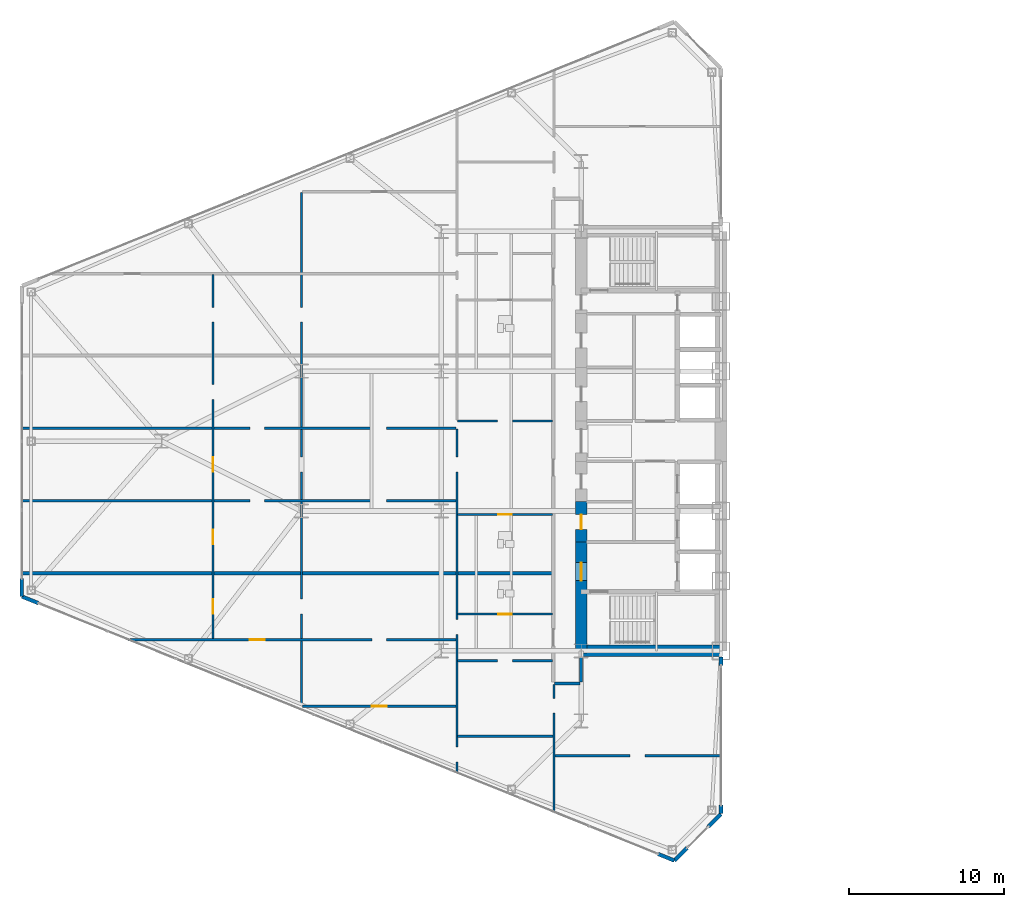
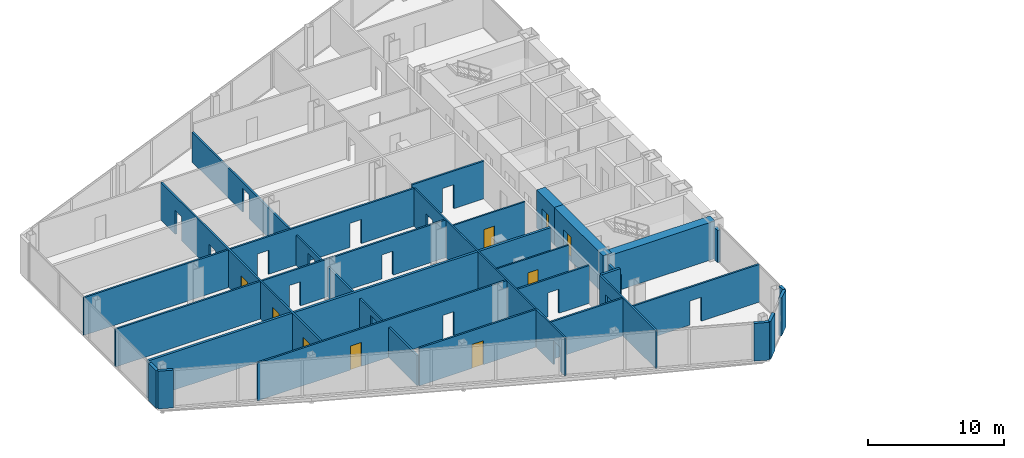
# One storey, part 17 of 25: 27 walls, 9 doors, 26 openings.
"""IFC4 building model written with IfcOpenShell, lengths in metres."""

from ifc_helpers import new_model, si_unit, direction, frame, frame_2d, origin, place, context, subcontext, project, spatial, rectangle, extrude, source, transform, mapped, material, layer, layer_set, type_object, type_shapes, element, fill, save


model = new_model("IFC4")

# Units and contexts
model_context = context("Model", 3, precision=1e-05, world=origin(), true_north=direction((0.0, 1.0)))
body_context = subcontext(model_context, "Body", "Model", "MODEL_VIEW")
ifc_project = project(units=[si_unit("LENGTHUNIT", "METRE"), si_unit("AREAUNIT", "SQUARE_METRE"), si_unit("VOLUMEUNIT", "CUBIC_METRE"), si_unit("PLANEANGLEUNIT", "RADIAN"), si_unit("MASSUNIT", "GRAM", prefix="KILO")], contexts=[model_context])

# Site, building, storey
site_placement = place(None, origin())
site = spatial("IfcSite", under=ifc_project, at=site_placement, CompositionType="ELEMENT")
building_placement = place(site_placement, origin())
building = spatial("IfcBuilding", under=site, at=building_placement, Name="Seokmaru Belvedere", CompositionType="ELEMENT")
storey_placement = place(building_placement, frame((0.0, 0.0, 47.699951171875)))
storey = spatial("IfcBuildingStorey", under=building, at=storey_placement, Name="L12", CompositionType="ELEMENT", Elevation=47.699951171875)

# Wall, opening
ifc_material_1 = material(Name="Fire-Rated Gypsum Shaftwall")
ifc_layer_1 = layer(ifc_material_1, 0.14990234375)
ifc_layer_set_1 = layer_set([ifc_layer_1], Name="Fire-Rated Gypsum Shaftwall")
wall_type_1 = type_object("IfcWallType", Name="Apartment Fire-Acoustic Room Partition 150", PredefinedType="PARTITIONING", material=ifc_layer_set_1)
wall_1_placement = place(storey_placement, frame((-38.199951171875, -20.25, 0.0), z_axis=(0.0, 0.0, 1.0), x_axis=(1.0, 0.0, 0.0)))
wall_1 = element("IfcWall", 1, at=wall_1_placement, inside=storey, type_object=wall_type_1, Name="L12 Interior Partition 001", PredefinedType="PARTITIONING", context=body_context, shape_type="SweptSolid", body=[
    extrude(rectangle(XDim=10.73486328125, YDim=0.14990234375, at=frame_2d((5.367431640625, 0.0))), origin(), (0.0, 0.0, 1.0), 3.380126953125),
])
opening_1_placement = place(wall_1_placement, frame((4.85009765625, 0.0, 0.0)))
element("IfcOpeningElement", 2, at=opening_1_placement, cuts=wall_1, Name="L12 Cased Opening 012", PredefinedType="OPENING", context=body_context, shape_type="SweptSolid", body=[
    extrude(rectangle(XDim=0.949951171875, YDim=2.14990234375, at=frame_2d((0.47509765625, 1.074951171875))), frame((0.0, 0.0849609375, 0.0), z_axis=(0.0, -1.0, 0.0), x_axis=(1.0, 0.0, 0.0)), (0.0, 0.0, 1.0), 0.169921875),
])

# Wall
wall_2_placement = place(storey_placement, frame((-44.449951171875, -19.0, 0.0), z_axis=(0.0, 0.0, 1.0), x_axis=(1.0, 0.0, 0.0)))
element("IfcWall", 3, at=wall_2_placement, inside=storey, type_object=wall_type_1, Name="L12 Interior Partition 002", PredefinedType="PARTITIONING", context=body_context, shape_type="SweptSolid", body=[
    extrude(rectangle(XDim=6.14990234375, YDim=0.14990234375, at=frame_2d((3.074951171875, 0.0))), origin(), (0.0, 0.0, 1.0), 3.380126953125),
])

# Wall, opening, door
wall_3_placement = place(storey_placement, frame((-54.449951171875, -17.06005859375, 0.0), z_axis=(0.0, 0.0, 1.0), x_axis=(1.0, 0.0, 0.0)))
wall_3 = element("IfcWall", 4, at=wall_3_placement, inside=storey, type_object=wall_type_1, Name="L12 Interior Partition 003", PredefinedType="PARTITIONING", context=body_context, shape_type="SweptSolid", body=[
    extrude(rectangle(XDim=9.89990234375, YDim=0.14990234375, at=frame_2d((4.949951171875, 0.0))), origin(), (0.0, 0.0, 1.0), 3.380126953125),
])
opening_2_placement = place(wall_3_placement, frame((4.47509765625, 0.0, 0.0)))
opening_2 = element("IfcOpeningElement", 5, at=opening_2_placement, cuts=wall_3, Name="Opening D05", PredefinedType="OPENING", context=body_context, shape_type="SweptSolid", body=[
    extrude(rectangle(XDim=0.949951171875, YDim=2.14990234375, at=frame_2d((0.47509765625, 1.074951171875))), frame((0.0, 0.0849609375, 0.0), z_axis=(0.0, -1.0, 0.0), x_axis=(1.0, 0.0, 0.0)), (0.0, 0.0, 1.0), 0.169921875),
])
ifc_material_2 = material(Name="Engineered White Oak Timber", Category="wood")
door_type_1 = type_object("IfcDoorType", Name="Apartment Interior Fire-Rated Oak Door 950x2150", OperationType="NOTDEFINED", PredefinedType="DOOR", material=ifc_material_2)
shared_shape_1 = source(origin(), body_context, "Body", "SweptSolid", [
    extrude(rectangle(XDim=0.949951171875, YDim=2.14990234375, at=frame_2d((0.47509765625, 1.074951171875))), frame((0.0, 0.02490234375, 0.0), z_axis=(0.0, -1.0, 0.0), x_axis=(1.0, 0.0, 0.0)), (0.0, 0.0, 1.0), 0.050048828125),
])
type_shapes(door_type_1, [shared_shape_1])
door_1_placement = place(opening_2_placement, origin())
door_1 = element("IfcDoor", 6, at=door_1_placement, inside=storey, type_object=door_type_1, Name="L12 Interior Door 009", OperationType="SINGLE_SWING_RIGHT", OverallHeight=2.14990234375, OverallWidth=0.949951171875, PredefinedType="DOOR", context=body_context, shape_type="MappedRepresentation", body=[
    mapped(shared_shape_1, transform((0.0, 0.0, 0.0), scale=1.0)),
])
fill(opening_2, door_1)

# Wall, opening
wall_4_placement = place(storey_placement, frame((-44.449951171875, -14.139892578125, 0.0), z_axis=(0.0, 0.0, 1.0), x_axis=(1.0, 0.0, 0.0)))
wall_4 = element("IfcWall", 7, at=wall_4_placement, inside=storey, type_object=wall_type_1, Name="L12 Interior Partition 006", PredefinedType="PARTITIONING", context=body_context, shape_type="SweptSolid", body=[
    extrude(rectangle(XDim=6.099853515625, YDim=0.14990234375, at=frame_2d((3.0498046875, 0.0))), origin(), (0.0, 0.0, 1.0), 3.380126953125),
])
opening_3_placement = place(wall_4_placement, frame((2.574951171875, 0.0, 0.0)))
element("IfcOpeningElement", 8, at=opening_3_placement, cuts=wall_4, Name="L12 Cased Opening 003", PredefinedType="OPENING", context=body_context, shape_type="SweptSolid", body=[
    extrude(rectangle(XDim=0.949951171875, YDim=2.14990234375, at=frame_2d((0.47509765625, 1.074951171875))), frame((0.0, 0.0849609375, 0.0), z_axis=(0.0, -1.0, 0.0), x_axis=(1.0, 0.0, 0.0)), (0.0, 0.0, 1.0), 0.169921875),
])

# Wall, openings, door
wall_5_placement = place(storey_placement, frame((-65.672119140625, -12.780029296875, 0.0), z_axis=(0.0, 0.0, 1.0), x_axis=(1.0, 0.0, 0.0)))
wall_5 = element("IfcWall", 9, at=wall_5_placement, inside=storey, type_object=wall_type_1, Name="L12 Interior Partition 007", PredefinedType="PARTITIONING", context=body_context, shape_type="SweptSolid", body=[
    extrude(rectangle(XDim=21.1220703125, YDim=0.14990234375, at=frame_2d((10.56103515625, 0.0))), origin(), (0.0, 0.0, 1.0), 3.380126953125),
])
opening_4_placement = place(wall_5_placement, frame((15.697021484375, 0.0, 0.0)))
element("IfcOpeningElement", 10, at=opening_4_placement, cuts=wall_5, Name="L12 Cased Opening 006", PredefinedType="OPENING", context=body_context, shape_type="SweptSolid", body=[
    extrude(rectangle(XDim=0.949951171875, YDim=2.14990234375, at=frame_2d((0.47509765625, 1.074951171875))), frame((0.0, 0.0849609375, 0.0), z_axis=(0.0, -1.0, 0.0), x_axis=(1.0, 0.0, 0.0)), (0.0, 0.0, 1.0), 0.169921875),
])
opening_5_placement = place(wall_5_placement, frame((7.846923828125, 0.0, 0.0)))
opening_5 = element("IfcOpeningElement", 11, at=opening_5_placement, cuts=wall_5, Name="Opening D05", PredefinedType="OPENING", context=body_context, shape_type="SweptSolid", body=[
    extrude(rectangle(XDim=0.949951171875, YDim=2.14990234375, at=frame_2d((0.47509765625, 1.074951171875))), frame((0.0, 0.0849609375, 0.0), z_axis=(0.0, -1.0, 0.0), x_axis=(1.0, 0.0, 0.0)), (0.0, 0.0, 1.0), 0.169921875),
])
door_2_placement = place(opening_5_placement, origin())
door_2 = element("IfcDoor", 12, at=door_2_placement, inside=storey, type_object=door_type_1, Name="L12 Interior Door 007", OperationType="SINGLE_SWING_LEFT", OverallHeight=2.14990234375, OverallWidth=0.949951171875, PredefinedType="DOOR", context=body_context, shape_type="MappedRepresentation", body=[
    mapped(shared_shape_1, transform((0.0, 0.0, 0.0), scale=1.0)),
])
fill(opening_5, door_2)

# Wall, openings
wall_6_placement = place(storey_placement, frame((-72.534912109375, -3.830078125, 0.0), z_axis=(0.0, 0.0, 1.0), x_axis=(1.0, 0.0, 0.0)))
wall_6 = element("IfcWall", 13, at=wall_6_placement, inside=storey, type_object=wall_type_1, Name="L12 Interior Partition 014", PredefinedType="PARTITIONING", context=body_context, shape_type="SweptSolid", body=[
    extrude(rectangle(XDim=27.98486328125, YDim=0.14990234375, at=frame_2d((13.992431640625, 0.0))), origin(), (0.0, 0.0, 1.0), 3.380126953125),
])
opening_6_placement = place(wall_6_placement, frame((22.56005859375, 0.0, 0.0)))
element("IfcOpeningElement", 14, at=opening_6_placement, cuts=wall_6, Name="L12 Cased Opening 018", PredefinedType="OPENING", context=body_context, shape_type="SweptSolid", body=[
    extrude(rectangle(XDim=0.949951171875, YDim=2.14990234375, at=frame_2d((0.47509765625, 1.074951171875))), frame((0.0, 0.0849609375, 0.0), z_axis=(0.0, -1.0, 0.0), x_axis=(1.0, 0.0, 0.0)), (0.0, 0.0, 1.0), 0.169921875),
])
opening_7_placement = place(wall_6_placement, frame((14.7099609375, 0.0, 0.0)))
element("IfcOpeningElement", 15, at=opening_7_placement, cuts=wall_6, Name="L12 Cased Opening 020", PredefinedType="OPENING", context=body_context, shape_type="SweptSolid", body=[
    extrude(rectangle(XDim=0.949951171875, YDim=2.14990234375, at=frame_2d((0.47509765625, 1.074951171875))), frame((0.0, 0.0849609375, 0.0), z_axis=(0.0, -1.0, 0.0), x_axis=(1.0, 0.0, 0.0)), (0.0, 0.0, 1.0), 0.169921875),
])

wall_7_placement = place(storey_placement, frame((-72.534912109375, 0.830078125, 0.0), z_axis=(0.0, 0.0, 1.0), x_axis=(1.0, 0.0, 0.0)))
wall_7 = element("IfcWall", 16, at=wall_7_placement, inside=storey, type_object=wall_type_1, Name="L12 Interior Partition 017", PredefinedType="PARTITIONING", context=body_context, shape_type="SweptSolid", body=[
    extrude(rectangle(XDim=27.98486328125, YDim=0.14990234375, at=frame_2d((13.992431640625, 0.0))), origin(), (0.0, 0.0, 1.0), 3.380126953125),
])
opening_8_placement = place(wall_7_placement, frame((22.56005859375, 0.0, 0.0)))
element("IfcOpeningElement", 17, at=opening_8_placement, cuts=wall_7, Name="L12 Cased Opening 019", PredefinedType="OPENING", context=body_context, shape_type="SweptSolid", body=[
    extrude(rectangle(XDim=0.949951171875, YDim=2.14990234375, at=frame_2d((0.47509765625, 1.074951171875))), frame((0.0, 0.0849609375, 0.0), z_axis=(0.0, -1.0, 0.0), x_axis=(1.0, 0.0, 0.0)), (0.0, 0.0, 1.0), 0.169921875),
])
opening_9_placement = place(wall_7_placement, frame((14.7099609375, 0.0, 0.0)))
element("IfcOpeningElement", 18, at=opening_9_placement, cuts=wall_7, Name="L12 Cased Opening 023", PredefinedType="OPENING", context=body_context, shape_type="SweptSolid", body=[
    extrude(rectangle(XDim=0.949951171875, YDim=2.14990234375, at=frame_2d((0.47509765625, 1.074951171875))), frame((0.0, 0.0849609375, 0.0), z_axis=(0.0, -1.0, 0.0), x_axis=(1.0, 0.0, 0.0)), (0.0, 0.0, 1.0), 0.169921875),
])

# Wall, opening
wall_8_placement = place(storey_placement, frame((-44.449951171875, 1.300048828125, 0.0), z_axis=(0.0, 0.0, 1.0), x_axis=(1.0, 0.0, 0.0)))
wall_8 = element("IfcWall", 19, at=wall_8_placement, inside=storey, type_object=wall_type_1, Name="L12 Interior Partition 018", PredefinedType="PARTITIONING", context=body_context, shape_type="SweptSolid", body=[
    extrude(rectangle(XDim=6.099853515625, YDim=0.14990234375, at=frame_2d((3.0498046875, 0.0))), origin(), (0.0, 0.0, 1.0), 3.380126953125),
])
opening_10_placement = place(wall_8_placement, frame((2.574951171875, 0.0, 0.0)))
element("IfcOpeningElement", 20, at=opening_10_placement, cuts=wall_8, Name="L12 Cased Opening 015", PredefinedType="OPENING", context=body_context, shape_type="SweptSolid", body=[
    extrude(rectangle(XDim=0.949951171875, YDim=2.14990234375, at=frame_2d((0.47509765625, 1.074951171875))), frame((0.0, 0.0849609375, 0.0), z_axis=(0.0, -1.0, 0.0), x_axis=(1.0, 0.0, 0.0)), (0.0, 0.0, 1.0), 0.169921875),
])

# Wall, openings, doors
wall_9_placement = place(storey_placement, frame((-60.199951171875, -12.72802734375, 0.0), z_axis=(0.0, 0.0, 1.0), x_axis=(0.0, 1.0, 0.0)))
wall_9 = element("IfcWall", 21, at=wall_9_placement, inside=storey, type_object=wall_type_1, Name="L12 Interior Partition 034", PredefinedType="PARTITIONING", context=body_context, shape_type="SweptSolid", body=[
    extrude(rectangle(XDim=23.4560546875, YDim=0.14990234375, at=frame_2d((11.72802734375, 0.0))), origin(), (0.0, 0.0, 1.0), 3.380126953125),
])
opening_11_placement = place(wall_9_placement, frame((1.614013671875, 0.0, 0.0)))
opening_11 = element("IfcOpeningElement", 22, at=opening_11_placement, cuts=wall_9, Name="Opening D05", PredefinedType="OPENING", context=body_context, shape_type="SweptSolid", body=[
    extrude(rectangle(XDim=0.949951171875, YDim=2.14990234375, at=frame_2d((0.47509765625, 1.074951171875))), frame((0.0, 0.0849609375, 0.0), z_axis=(0.0, -1.0, 0.0), x_axis=(1.0, 0.0, 0.0)), (0.0, 0.0, 1.0), 0.169921875),
])
opening_12_placement = place(wall_9_placement, frame((6.08642578125, 0.0, 0.0)))
opening_12 = element("IfcOpeningElement", 23, at=opening_12_placement, cuts=wall_9, Name="Opening D05", PredefinedType="OPENING", context=body_context, shape_type="SweptSolid", body=[
    extrude(rectangle(XDim=0.949951171875, YDim=2.14990234375, at=frame_2d((0.47509765625, 1.074951171875))), frame((0.0, 0.0849609375, 0.0), z_axis=(0.0, -1.0, 0.0), x_axis=(1.0, 0.0, 0.0)), (0.0, 0.0, 1.0), 0.169921875),
])
opening_13_placement = place(wall_9_placement, frame((10.7529296875, 0.0, 0.0)))
opening_13 = element("IfcOpeningElement", 24, at=opening_13_placement, cuts=wall_9, Name="Opening D05", PredefinedType="OPENING", context=body_context, shape_type="SweptSolid", body=[
    extrude(rectangle(XDim=0.949951171875, YDim=2.14990234375, at=frame_2d((0.47509765625, 1.074951171875))), frame((0.0, 0.0849609375, 0.0), z_axis=(0.0, -1.0, 0.0), x_axis=(1.0, 0.0, 0.0)), (0.0, 0.0, 1.0), 0.169921875),
])
opening_14_placement = place(wall_9_placement, frame((15.419677734375, 0.0, 0.0)))
element("IfcOpeningElement", 25, at=opening_14_placement, cuts=wall_9, Name="L12 Cased Opening 024", PredefinedType="OPENING", context=body_context, shape_type="SweptSolid", body=[
    extrude(rectangle(XDim=0.949951171875, YDim=2.14990234375, at=frame_2d((0.47509765625, 1.074951171875))), frame((0.0, 0.0849609375, 0.0), z_axis=(0.0, -1.0, 0.0), x_axis=(1.0, 0.0, 0.0)), (0.0, 0.0, 1.0), 0.169921875),
])
opening_15_placement = place(wall_9_placement, frame((20.391845703125, 0.0, 0.0)))
element("IfcOpeningElement", 26, at=opening_15_placement, cuts=wall_9, Name="L12 Cased Opening 031", PredefinedType="OPENING", context=body_context, shape_type="SweptSolid", body=[
    extrude(rectangle(XDim=0.949951171875, YDim=2.14990234375, at=frame_2d((0.47509765625, 1.074951171875))), frame((0.0, 0.0849609375, 0.0), z_axis=(0.0, -1.0, 0.0), x_axis=(1.0, 0.0, 0.0)), (0.0, 0.0, 1.0), 0.169921875),
])
door_3_placement = place(opening_11_placement, origin())
door_3 = element("IfcDoor", 27, at=door_3_placement, inside=storey, type_object=door_type_1, Name="L12 Interior Door 008", OperationType="SINGLE_SWING_RIGHT", OverallHeight=2.14990234375, OverallWidth=0.949951171875, PredefinedType="DOOR", context=body_context, shape_type="MappedRepresentation", body=[
    mapped(shared_shape_1, transform((0.0, 0.0, 0.0), scale=1.0)),
])
fill(opening_11, door_3)
door_4_placement = place(opening_12_placement, origin())
door_4 = element("IfcDoor", 28, at=door_4_placement, inside=storey, type_object=door_type_1, Name="L12 Interior Door 021", OperationType="SINGLE_SWING_RIGHT", OverallHeight=2.14990234375, OverallWidth=0.949951171875, PredefinedType="DOOR", context=body_context, shape_type="MappedRepresentation", body=[
    mapped(shared_shape_1, transform((0.0, 0.0, 0.0), scale=1.0)),
])
fill(opening_12, door_4)
door_5_placement = place(opening_13_placement, origin())
door_5 = element("IfcDoor", 29, at=door_5_placement, inside=storey, type_object=door_type_1, Name="L12 Interior Door 022", OperationType="SINGLE_SWING_RIGHT", OverallHeight=2.14990234375, OverallWidth=0.949951171875, PredefinedType="DOOR", context=body_context, shape_type="MappedRepresentation", body=[
    mapped(shared_shape_1, transform((0.0, 0.0, 0.0), scale=1.0)),
])
fill(opening_13, door_5)

# Wall, openings
wall_10_placement = place(storey_placement, frame((-54.5, -17.006103515625, 0.0), z_axis=(0.0, 0.0, 1.0), x_axis=(0.0, 1.0, 0.0)))
wall_10 = element("IfcWall", 30, at=wall_10_placement, inside=storey, type_object=wall_type_1, Name="L12 Interior Partition 035", PredefinedType="PARTITIONING", context=body_context, shape_type="SweptSolid", body=[
    extrude(rectangle(XDim=33.01220703125, YDim=0.14990234375, at=frame_2d((16.506103515625, 0.0))), origin(), (0.0, 0.0, 1.0), 2.679931640625),
])
opening_16_placement = place(wall_10_placement, frame((5.89208984375, 0.0, 0.0)))
element("IfcOpeningElement", 31, at=opening_16_placement, cuts=wall_10, Name="L12 Cased Opening 005", PredefinedType="OPENING", context=body_context, shape_type="SweptSolid", body=[
    extrude(rectangle(XDim=0.949951171875, YDim=2.14990234375, at=frame_2d((0.47509765625, 1.074951171875))), frame((0.0, 0.0849609375, 0.0), z_axis=(0.0, -1.0, 0.0), x_axis=(1.0, 0.0, 0.0)), (0.0, 0.0, 1.0), 0.169921875),
])
opening_17_placement = place(wall_10_placement, frame((15.031005859375, 0.0, 0.0)))
element("IfcOpeningElement", 32, at=opening_17_placement, cuts=wall_10, Name="L12 Cased Opening 017", PredefinedType="OPENING", context=body_context, shape_type="SweptSolid", body=[
    extrude(rectangle(XDim=0.949951171875, YDim=2.14990234375, at=frame_2d((0.47509765625, 1.074951171875))), frame((0.0, 0.0849609375, 0.0), z_axis=(0.0, -1.0, 0.0), x_axis=(1.0, 0.0, 0.0)), (0.0, 0.0, 1.0), 0.169921875),
])
opening_18_placement = place(wall_10_placement, frame((24.669921875, 0.0, 0.0)))
element("IfcOpeningElement", 33, at=opening_18_placement, cuts=wall_10, Name="L12 Cased Opening 030", PredefinedType="OPENING", context=body_context, shape_type="SweptSolid", body=[
    extrude(rectangle(XDim=0.949951171875, YDim=2.14990234375, at=frame_2d((0.47509765625, 1.074951171875))), frame((0.0, 0.0849609375, 0.0), z_axis=(0.0, -1.0, 0.0), x_axis=(1.0, 0.0, 0.0)), (0.0, 0.0, 1.0), 0.169921875),
])

# Wall, opening
wall_11_placement = place(storey_placement, frame((-38.25, -23.89794921875, 0.0), z_axis=(0.0, 0.0, 1.0), x_axis=(0.0, 1.0, 0.0)))
wall_11 = element("IfcWall", 34, at=wall_11_placement, inside=storey, type_object=wall_type_1, Name="L12 Interior Partition 039", PredefinedType="PARTITIONING", context=body_context, shape_type="SweptSolid", body=[
    extrude(rectangle(XDim=8.248046875, YDim=0.14990234375, at=frame_2d((4.1240234375, 0.0))), origin(), (0.0, 0.0, 1.0), 3.380126953125),
])
opening_19_placement = place(wall_11_placement, frame((6.390869140625, 0.0, 0.0)))
element("IfcOpeningElement", 35, at=opening_19_placement, cuts=wall_11, Name="L12 Cased Opening 011", PredefinedType="OPENING", context=body_context, shape_type="SweptSolid", body=[
    extrude(rectangle(XDim=0.949951171875, YDim=2.14990234375, at=frame_2d((0.47509765625, 1.074951171875))), frame((0.0, 0.0849609375, 0.0), z_axis=(0.0, -1.0, 0.0), x_axis=(1.0, 0.0, 0.0)), (0.0, 0.0, 1.0), 0.169921875),
])

# Walls
ifc_layer_2 = layer(ifc_material_1, 0.199951171875)
ifc_layer_set_2 = layer_set([ifc_layer_2], Name="Fire-Rated Gypsum Shaftwall")
wall_type_2 = type_object("IfcWallType", Name="Inter-Tenancy Fire Compartment Partition 200", PredefinedType="PARTITIONING", material=ifc_layer_set_2)
wall_12_placement = place(storey_placement, frame((-38.215087890625, -15.60009765625, 0.0), z_axis=(0.0, 0.0, 1.0), x_axis=(1.0, 0.0, 0.0)))
element("IfcWall", 36, at=wall_12_placement, inside=storey, type_object=wall_type_2, Name="L12 Interior Partition 004", PredefinedType="PARTITIONING", context=body_context, shape_type="SweptSolid", body=[
    extrude(rectangle(XDim=1.630126953125, YDim=0.199951171875, at=frame_2d((0.81494140625, 0.0))), origin(), (0.0, 0.0, 1.0), 3.380126953125),
])
wall_13_placement = place(storey_placement, frame((-72.5048828125, -8.5, 0.0), z_axis=(0.0, 0.0, 1.0), x_axis=(1.0, 0.0, 0.0)))
element("IfcWall", 37, at=wall_13_placement, inside=storey, type_object=wall_type_2, Name="L12 Interior Partition 011", PredefinedType="PARTITIONING", context=body_context, shape_type="SweptSolid", body=[
    extrude(rectangle(XDim=34.125, YDim=0.199951171875, at=frame_2d((17.0625, 0.0))), origin(), (0.0, 0.0, 1.0), 3.380126953125),
])
wall_14_placement = place(storey_placement, frame((-36.5, -15.514892578125, 0.0), z_axis=(0.0, 0.0, 1.0), x_axis=(0.0, 1.0, 0.0)))
element("IfcWall", 38, at=wall_14_placement, inside=storey, type_object=wall_type_2, Name="L12 Interior Partition 041", PredefinedType="PARTITIONING", context=body_context, shape_type="SweptSolid", body=[
    extrude(rectangle(XDim=1.635009765625, YDim=0.199951171875, at=frame_2d((0.8173828125, 0.0))), origin(), (0.0, 0.0, 1.0), 2.679931640625),
])
ifc_material_3 = material(Name="Concrete C60 (60 MPa)", Category="concrete")
ifc_layer_3 = layer(ifc_material_3, 0.75)
ifc_layer_set_3 = layer_set([ifc_layer_3], Name="Concrete C60 (60 MPa)")
wall_type_3 = type_object("IfcWallType", Name="Lower Tower Reinforced Concrete Core Wall 750", PredefinedType="SHEAR", material=ifc_layer_set_3)
wall_15_placement = place(storey_placement, frame((-36.5, -13.5, 0.0), z_axis=(0.0, 0.0, 1.0), x_axis=(1.0, 0.0, 0.0)))
element("IfcWall", 39, at=wall_15_placement, inside=storey, type_object=wall_type_3, Name="L12 West South Core Wall", PredefinedType="SHEAR", context=body_context, shape_type="SweptSolid", body=[
    extrude(rectangle(XDim=9.0, YDim=0.75, at=frame_2d((4.5, 0.0))), origin(), (0.0, 0.0, 1.0), 3.380126953125),
])

# Wall, opening, door
wall_16_placement = place(storey_placement, frame((-36.5, -13.64990234375, 0.0), z_axis=(0.0, 0.0, 1.0), x_axis=(0.0, 1.0, 0.0)))
wall_16 = element("IfcWall", 40, at=wall_16_placement, inside=storey, type_object=wall_type_3, Name="L12 West West Core Wall FF", PredefinedType="SHEAR", context=body_context, shape_type="SweptSolid", body=[
    extrude(rectangle(XDim=7.14990234375, YDim=0.75, at=frame_2d((3.574951171875, 0.0))), origin(), (0.0, 0.0, 1.0), 3.380126953125),
])
opening_20_placement = place(wall_16_placement, frame((4.675048828125, 0.0, 0.0)))
opening_20 = element("IfcOpeningElement", 41, at=opening_20_placement, cuts=wall_16, Name="Opening D02", PredefinedType="OPENING", context=body_context, shape_type="SweptSolid", body=[
    extrude(rectangle(XDim=1.14990234375, YDim=2.199951171875, at=frame_2d((0.574951171875, 1.10009765625))), frame((0.0, 0.385009765625, 0.0), z_axis=(0.0, -1.0, 0.0), x_axis=(1.0, 0.0, 0.0)), (0.0, 0.0, 1.0), 0.77001953125),
])
ifc_material_4 = material(Name="Fire-Rated Steel Leaf", Category="steel")
door_type_2 = type_object("IfcDoorType", Name="Lobby and Vestibule Fire Door 1150x2200", OperationType="NOTDEFINED", PredefinedType="DOOR", material=ifc_material_4)
shared_shape_2 = source(origin(), body_context, "Body", "SweptSolid", [
    extrude(rectangle(XDim=1.14990234375, YDim=2.199951171875, at=frame_2d((0.574951171875, 1.10009765625))), frame((0.0, 0.02490234375, 0.0), z_axis=(0.0, -1.0, 0.0), x_axis=(1.0, 0.0, 0.0)), (0.0, 0.0, 1.0), 0.050048828125),
])
type_shapes(door_type_2, [shared_shape_2])
door_6_placement = place(opening_20_placement, frame((1.14990234375, 0.0, 0.0), z_axis=(0.0, 0.0, 1.0), x_axis=(-1.0, 0.0, 0.0)))
door_6 = element("IfcDoor", 42, at=door_6_placement, inside=storey, type_object=door_type_2, Name="L12 West Firefighting Lobby Door", OperationType="SINGLE_SWING_LEFT", OverallHeight=2.199951171875, OverallWidth=1.14990234375, PredefinedType="DOOR", context=body_context, shape_type="MappedRepresentation", body=[
    mapped(shared_shape_2, transform((0.0, 0.0, 0.0), scale=1.0)),
])
fill(opening_20, door_6)

wall_17_placement = place(storey_placement, frame((-36.5, -6.5, 0.0), z_axis=(0.0, 0.0, 1.0), x_axis=(0.0, 1.0, 0.0)))
wall_17 = element("IfcWall", 43, at=wall_17_placement, inside=storey, type_object=wall_type_3, Name="L12 West West Core Wall CS1", PredefinedType="SHEAR", context=body_context, shape_type="SweptSolid", body=[
    extrude(rectangle(XDim=2.60009765625, YDim=0.75, at=frame_2d((1.300048828125, 0.0))), origin(), (0.0, 0.0, 1.0), 3.380126953125),
])
opening_21_placement = place(wall_17_placement, frame((0.824951171875, 0.0, 0.0)))
opening_21 = element("IfcOpeningElement", 44, at=opening_21_placement, cuts=wall_17, Name="Opening D04", PredefinedType="OPENING", context=body_context, shape_type="SweptSolid", body=[
    extrude(rectangle(XDim=0.949951171875, YDim=2.14990234375, at=frame_2d((0.47509765625, 1.074951171875))), frame((0.0, 0.385009765625, 0.0), z_axis=(0.0, -1.0, 0.0), x_axis=(1.0, 0.0, 0.0)), (0.0, 0.0, 1.0), 0.77001953125),
])
door_type_3 = type_object("IfcDoorType", Name="Core Service Room Fire Door 950x2150", OperationType="NOTDEFINED", PredefinedType="DOOR", material=ifc_material_4)
shared_shape_3 = source(origin(), body_context, "Body", "SweptSolid", [
    extrude(rectangle(XDim=0.949951171875, YDim=2.14990234375, at=frame_2d((0.47509765625, 1.074951171875))), frame((0.0, 0.02490234375, 0.0), z_axis=(0.0, -1.0, 0.0), x_axis=(1.0, 0.0, 0.0)), (0.0, 0.0, 1.0), 0.050048828125),
])
type_shapes(door_type_3, [shared_shape_3])
door_7_placement = place(opening_21_placement, origin())
door_7 = element("IfcDoor", 45, at=door_7_placement, inside=storey, type_object=door_type_3, Name="L12 West Core Service Room Door 1", OperationType="SINGLE_SWING_LEFT", OverallHeight=2.14990234375, OverallWidth=0.949951171875, PredefinedType="DOOR", context=body_context, shape_type="MappedRepresentation", body=[
    mapped(shared_shape_3, transform((0.0, 0.0, 0.0), scale=1.0)),
])
fill(opening_21, door_7)

ifc_layer_4 = layer(ifc_material_1, 0.1298828125)
ifc_layer_set_4 = layer_set([ifc_layer_4], Name="Fire-Rated Gypsum Shaftwall")
wall_type_4 = type_object("IfcWallType", Name="Moisture-Resistant Fire-Rated Bathroom Partition 130", PredefinedType="PARTITIONING", material=ifc_layer_set_4)
wall_18_placement = place(storey_placement, frame((-44.449951171875, -11.139892578125, 0.0), z_axis=(0.0, 0.0, 1.0), x_axis=(1.0, 0.0, 0.0)))
wall_18 = element("IfcWall", 46, at=wall_18_placement, inside=storey, type_object=wall_type_4, Name="L12 Interior Partition 009", PredefinedType="PARTITIONING", context=body_context, shape_type="SweptSolid", body=[
    extrude(rectangle(XDim=6.099853515625, YDim=0.1298828125, at=frame_2d((3.0498046875, 0.0))), origin(), (0.0, 0.0, 1.0), 3.380126953125),
])
opening_22_placement = place(wall_18_placement, frame((2.610107421875, 0.0, 0.0)))
opening_22 = element("IfcOpeningElement", 47, at=opening_22_placement, cuts=wall_18, Name="Opening D06", PredefinedType="OPENING", context=body_context, shape_type="SweptSolid", body=[
    extrude(rectangle(XDim=0.8798828125, YDim=2.10009765625, at=frame_2d((0.43994140625, 1.050048828125))), frame((0.0, 0.074951171875, 0.0), z_axis=(0.0, -1.0, 0.0), x_axis=(1.0, 0.0, 0.0)), (0.0, 0.0, 1.0), 0.14990234375),
])
door_type_4 = type_object("IfcDoorType", Name="Bathroom and Restroom Fire-Rated Door 880x2100", OperationType="NOTDEFINED", PredefinedType="DOOR", material=ifc_material_2)
shared_shape_4 = source(origin(), body_context, "Body", "SweptSolid", [
    extrude(rectangle(XDim=0.8798828125, YDim=2.10009765625, at=frame_2d((0.43994140625, 1.050048828125))), frame((0.0, 0.02490234375, 0.0), z_axis=(0.0, -1.0, 0.0), x_axis=(1.0, 0.0, 0.0)), (0.0, 0.0, 1.0), 0.050048828125),
])
type_shapes(door_type_4, [shared_shape_4])
door_8_placement = place(opening_22_placement, origin())
door_8 = element("IfcDoor", 48, at=door_8_placement, inside=storey, type_object=door_type_4, Name="L12 Interior Door 002", OperationType="SINGLE_SWING_LEFT", OverallHeight=2.10009765625, OverallWidth=0.8798828125, PredefinedType="DOOR", context=body_context, shape_type="MappedRepresentation", body=[
    mapped(shared_shape_4, transform((0.0, 0.0, 0.0), scale=1.0)),
])
fill(opening_22, door_8)

wall_19_placement = place(storey_placement, frame((-44.449951171875, -4.719970703125, 0.0), z_axis=(0.0, 0.0, 1.0), x_axis=(1.0, 0.0, 0.0)))
wall_19 = element("IfcWall", 49, at=wall_19_placement, inside=storey, type_object=wall_type_4, Name="L12 Interior Partition 013", PredefinedType="PARTITIONING", context=body_context, shape_type="SweptSolid", body=[
    extrude(rectangle(XDim=6.099853515625, YDim=0.1298828125, at=frame_2d((3.0498046875, 0.0))), origin(), (0.0, 0.0, 1.0), 3.380126953125),
])
opening_23_placement = place(wall_19_placement, frame((2.610107421875, 0.0, 0.0)))
opening_23 = element("IfcOpeningElement", 50, at=opening_23_placement, cuts=wall_19, Name="Opening D06", PredefinedType="OPENING", context=body_context, shape_type="SweptSolid", body=[
    extrude(rectangle(XDim=0.8798828125, YDim=2.10009765625, at=frame_2d((0.43994140625, 1.050048828125))), frame((0.0, 0.074951171875, 0.0), z_axis=(0.0, -1.0, 0.0), x_axis=(1.0, 0.0, 0.0)), (0.0, 0.0, 1.0), 0.14990234375),
])
door_9_placement = place(opening_23_placement, origin())
door_9 = element("IfcDoor", 51, at=door_9_placement, inside=storey, type_object=door_type_4, Name="L12 Interior Door 014", OperationType="SINGLE_SWING_LEFT", OverallHeight=2.10009765625, OverallWidth=0.8798828125, PredefinedType="DOOR", context=body_context, shape_type="MappedRepresentation", body=[
    mapped(shared_shape_4, transform((0.0, 0.0, 0.0), scale=1.0)),
])
fill(opening_23, door_9)

# Wall, openings
wall_20_placement = place(storey_placement, frame((-44.5, -21.367919921875, 0.0), z_axis=(0.0, 0.0, 1.0), x_axis=(0.0, 1.0, 0.0)))
wall_20 = element("IfcWall", 52, at=wall_20_placement, inside=storey, type_object=wall_type_4, Name="L12 Interior Partition 036", PredefinedType="PARTITIONING", context=body_context, shape_type="SweptSolid", body=[
    extrude(rectangle(XDim=22.15087890625, YDim=0.1298828125, at=frame_2d((11.075439453125, 0.0))), origin(), (0.0, 0.0, 1.0), 3.380126953125),
])
opening_24_placement = place(wall_20_placement, frame((8.931640625, 0.0, 0.0)))
element("IfcOpeningElement", 53, at=opening_24_placement, cuts=wall_20, Name="L12 Cased Opening 004", PredefinedType="OPENING", context=body_context, shape_type="SweptSolid", body=[
    extrude(rectangle(XDim=0.949951171875, YDim=2.14990234375, at=frame_2d((0.47509765625, 1.074951171875))), frame((0.0, 0.074951171875, 0.0), z_axis=(0.0, -1.0, 0.0), x_axis=(1.0, 0.0, 0.0)), (0.0, 0.0, 1.0), 0.14990234375),
])
opening_25_placement = place(wall_20_placement, frame((0.724365234375, 0.0, 0.0)))
element("IfcOpeningElement", 54, at=opening_25_placement, cuts=wall_20, Name="L12 Cased Opening 010", PredefinedType="OPENING", context=body_context, shape_type="SweptSolid", body=[
    extrude(rectangle(XDim=0.949951171875, YDim=2.14990234375, at=frame_2d((0.47509765625, 1.074951171875))), frame((0.0, 0.074951171875, 0.0), z_axis=(0.0, -1.0, 0.0), x_axis=(1.0, 0.0, 0.0)), (0.0, 0.0, 1.0), 0.14990234375),
])
opening_26_placement = place(wall_20_placement, frame((19.39306640625, 0.0, 0.0)))
element("IfcOpeningElement", 55, at=opening_26_placement, cuts=wall_20, Name="L12 Cased Opening 016", PredefinedType="OPENING", context=body_context, shape_type="SweptSolid", body=[
    extrude(rectangle(XDim=0.949951171875, YDim=2.14990234375, at=frame_2d((0.47509765625, 1.074951171875))), frame((0.0, 0.074951171875, 0.0), z_axis=(0.0, -1.0, 0.0), x_axis=(1.0, 0.0, 0.0)), (0.0, 0.0, 1.0), 0.14990234375),
])

# Walls
ifc_material_5 = material(Name="Anodised Bronze Aluminium", Category="aluminium")
ifc_layer_5 = layer(ifc_material_5, 0.239990234375)
ifc_layer_set_5 = layer_set([ifc_layer_5], Name="Anodised Bronze Aluminium")
wall_type_5 = type_object("IfcWallType", Name="Tower Corner Spandrel Closure Wall 240", PredefinedType="SOLIDWALL", material=ifc_layer_set_5)
wall_21_placement = place(storey_placement, frame((-27.5, -23.97998046875, 0.0), z_axis=(0.0, 0.0, 1.0), x_axis=(0.0, 1.0, 0.0)))
element("IfcWall", 56, at=wall_21_placement, inside=storey, type_object=wall_type_5, Name="L12 W Spine Closure Pier 1A", PredefinedType="SOLIDWALL", context=body_context, shape_type="SweptSolid", body=[
    extrude(rectangle(XDim=0.550048828125, YDim=0.239990234375, at=frame_2d((0.27490234375, 0.0))), origin(), (0.0, 0.0, 1.0), 3.380126953125),
])
wall_22_placement = place(storey_placement, frame((-27.5, -14.429931640625, 0.0), z_axis=(0.0, 0.0, 1.0), x_axis=(0.0, 1.0, 0.0)))
element("IfcWall", 57, at=wall_22_placement, inside=storey, type_object=wall_type_5, Name="L12 W Spine Closure Pier 1B", PredefinedType="SOLIDWALL", context=body_context, shape_type="SweptSolid", body=[
    extrude(rectangle(XDim=0.550048828125, YDim=0.239990234375, at=frame_2d((0.27490234375, 0.0))), origin(), (0.0, 0.0, 1.0), 2.880126953125),
])
for number, where, z_axis, x_axis, name in (
    (58, (-72.5, -8.85009765625, 0.0), (0.0, 0.0, 1.0), (0.0, -1.0, 0.0), "L12 W Corner Closure Pier 4B"),
    (59, (-72.49072265625, -10.00390625, 0.0), (0.0, 0.0, 1.0), (0.927007103665, -0.375043770452, 0.0), "L12 W Corner Closure Pier 5A"),
    (60, (-31.56591796875, -26.568603515625, 0.0), (0.0, 0.0, 1.0), (0.927007103665, -0.375043770452, 0.0), "L12 W Corner Closure Pier 5B"),
):
    element("IfcWall", number, at=place(storey_placement, frame(where, z_axis=z_axis, x_axis=x_axis)), inside=storey, type_object=wall_type_5, Name=name, PredefinedType="SOLIDWALL", context=body_context, shape_type="SweptSolid", body=[
        extrude(rectangle(XDim=1.139892578125, YDim=0.239990234375, at=frame_2d((0.56982421875, 0.0))), origin(), (0.0, 0.0, 1.0), 3.380126953125),
    ])
for number, where, z_axis, x_axis, name in (
    (61, (-30.492919921875, -26.992919921875, 0.0), (0.0, 0.0, 1.0), (0.707106781187, 0.707106781187, 0.0), "L12 W Corner Closure Pier 6A"),
    (62, (-28.313232421875, -24.813232421875, 0.0), (0.0, 0.0, 1.0), (0.707106781187, 0.707106781187, 0.0), "L12 W Corner Closure Pier 6B"),
):
    element("IfcWall", number, at=place(storey_placement, frame(where, z_axis=z_axis, x_axis=x_axis)), inside=storey, type_object=wall_type_5, Name=name, PredefinedType="SOLIDWALL", context=body_context, shape_type="SweptSolid", body=[
        extrude(rectangle(XDim=1.14013671875, YDim=0.239990234375, at=frame_2d((0.570068359375, 0.0))), origin(), (0.0, 0.0, 1.0), 3.380126953125),
    ])

save(model, "model.ifc")
